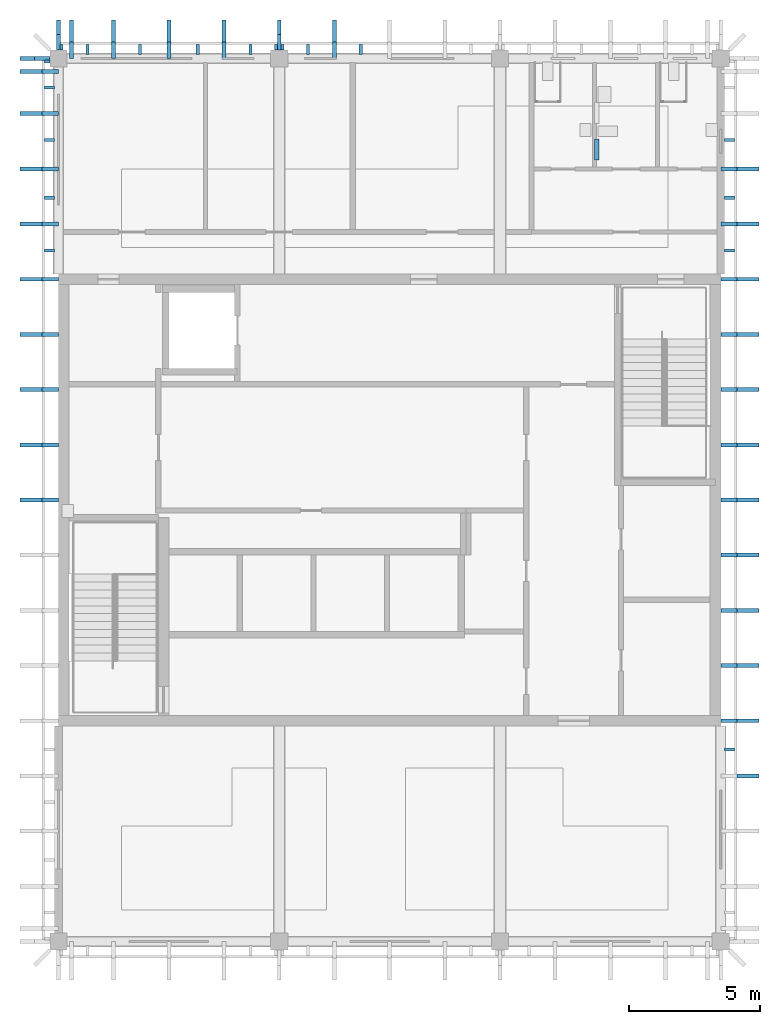
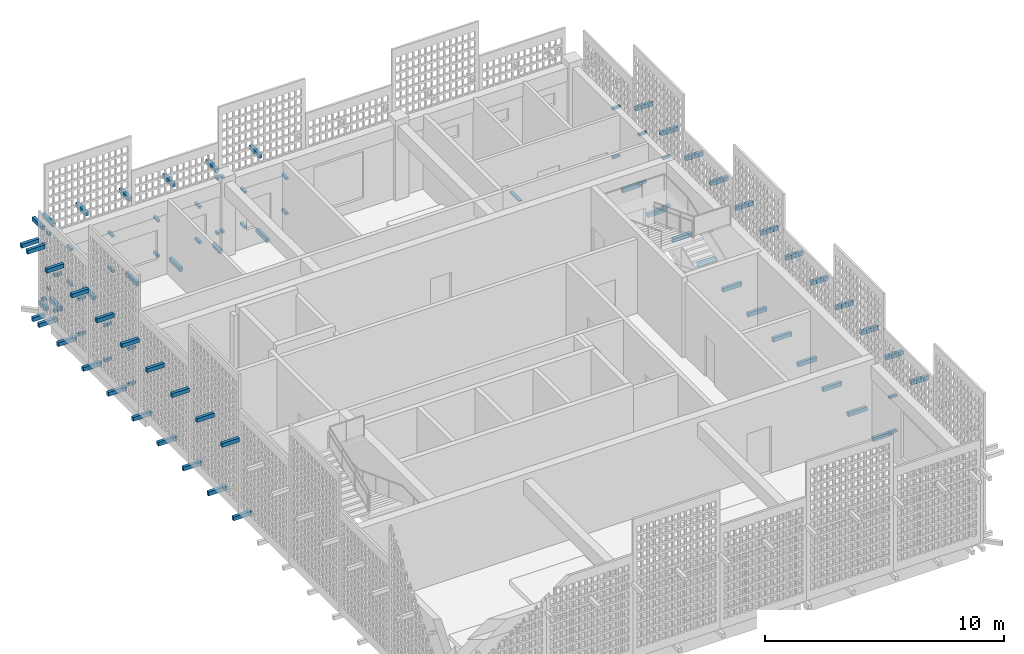
# One storey, part 5 of 23: 94 discrete accessories.
"""IFC4 building model written with IfcOpenShell, lengths in metres."""

from ifc_helpers import new_model, si_unit, direction, frame, origin, origin_2d, place, context, subcontext, project, spatial, rectangle, extrude, material, type_object, element, save


model = new_model("IFC4")

# Units and contexts
model_context = context("Model", 3, precision=1e-05, world=origin(), true_north=direction((0.0, 1.0)))
body_context = subcontext(model_context, "Body", "Model", "MODEL_VIEW")
ifc_project = project(units=[si_unit("LENGTHUNIT", "METRE"), si_unit("AREAUNIT", "SQUARE_METRE"), si_unit("VOLUMEUNIT", "CUBIC_METRE"), si_unit("PLANEANGLEUNIT", "RADIAN"), si_unit("MASSUNIT", "GRAM", prefix="KILO")], contexts=[model_context])

# Site, building, storey
site_placement = place(None, origin())
site = spatial("IfcSite", under=ifc_project, at=site_placement, CompositionType="ELEMENT")
building_placement = place(site_placement, origin())
building = spatial("IfcBuilding", under=site, at=building_placement, Name="Rulbaag Community and Learning Centre", CompositionType="ELEMENT")
storey_placement = place(building_placement, frame((0.0, 0.0, 64.800048828125)))
storey = spatial("IfcBuildingStorey", under=building, at=storey_placement, Name="L17", CompositionType="ELEMENT", Elevation=64.800048828125)

# Discrete accessories
ifc_material_1 = material(Name="Steel E350", Category="steel")
discrete_accessory_type_1 = type_object("IfcDiscreteAccessoryType", Name="BR-FN", PredefinedType="BRACKET", material=ifc_material_1)
discrete_accessory_1_placement = place(storey_placement, frame((142.800048828125, 118.218505859375, -0.25), z_axis=(0.0, 0.0, 1.0), x_axis=(1.0, 0.0, 0.0)))
element("IfcDiscreteAccessory", 1, at=discrete_accessory_1_placement, inside=storey, type_object=discrete_accessory_type_1, Name="Fin arm", PredefinedType="BRACKET", context=body_context, shape_type="SweptSolid", body=[
    extrude(rectangle(XDim=0.14990234375, YDim=0.587158203125, at=origin_2d()), origin(), (0.0, 0.0, 1.0), 0.199951171875),
])
discrete_accessory_2_placement = place(storey_placement, frame((142.800048828125, 118.644775390625, 3.7001953125), z_axis=(0.0, 0.0, 1.0), x_axis=(1.0, 0.0, 0.0)))
element("IfcDiscreteAccessory", 2, at=discrete_accessory_2_placement, inside=storey, type_object=discrete_accessory_type_1, Name="Fin arm", PredefinedType="BRACKET", context=body_context, shape_type="SweptSolid", body=[
    extrude(rectangle(XDim=0.14990234375, YDim=0.83935546875, at=origin_2d()), origin(), (0.0, 0.0, 1.0), 0.199951171875),
])
discrete_accessory_3_placement = place(storey_placement, frame((143.300048828125, 118.05615234375, -0.25), z_axis=(0.0, 0.0, 1.0), x_axis=(1.0, 0.0, 0.0)))
element("IfcDiscreteAccessory", 3, at=discrete_accessory_3_placement, inside=storey, type_object=discrete_accessory_type_1, Name="Fin arm", PredefinedType="BRACKET", context=body_context, shape_type="SweptSolid", body=[
    extrude(rectangle(XDim=0.14990234375, YDim=0.912109375, at=origin_2d()), origin(), (0.0, 0.0, 1.0), 0.199951171875),
])
discrete_accessory_4_placement = place(storey_placement, frame((143.300048828125, 118.644775390625, 3.7001953125), z_axis=(0.0, 0.0, 1.0), x_axis=(1.0, 0.0, 0.0)))
element("IfcDiscreteAccessory", 4, at=discrete_accessory_4_placement, inside=storey, type_object=discrete_accessory_type_1, Name="Fin arm", PredefinedType="BRACKET", context=body_context, shape_type="SweptSolid", body=[
    extrude(rectangle(XDim=0.14990234375, YDim=0.83935546875, at=origin_2d()), origin(), (0.0, 0.0, 1.0), 0.199951171875),
])
discrete_accessory_5_placement = place(storey_placement, frame((144.89990234375, 118.05615234375, -0.25), z_axis=(0.0, 0.0, 1.0), x_axis=(1.0, 0.0, 0.0)))
element("IfcDiscreteAccessory", 5, at=discrete_accessory_5_placement, inside=storey, type_object=discrete_accessory_type_1, Name="Fin arm", PredefinedType="BRACKET", context=body_context, shape_type="SweptSolid", body=[
    extrude(rectangle(XDim=0.14990234375, YDim=0.912109375, at=origin_2d()), origin(), (0.0, 0.0, 1.0), 0.199951171875),
])
discrete_accessory_6_placement = place(storey_placement, frame((144.89990234375, 118.644775390625, 3.7001953125), z_axis=(0.0, 0.0, 1.0), x_axis=(1.0, 0.0, 0.0)))
element("IfcDiscreteAccessory", 6, at=discrete_accessory_6_placement, inside=storey, type_object=discrete_accessory_type_1, Name="Fin arm", PredefinedType="BRACKET", context=body_context, shape_type="SweptSolid", body=[
    extrude(rectangle(XDim=0.14990234375, YDim=0.83935546875, at=origin_2d()), origin(), (0.0, 0.0, 1.0), 0.199951171875),
])
discrete_accessory_7_placement = place(storey_placement, frame((147.0, 118.05615234375, -0.25), z_axis=(0.0, 0.0, 1.0), x_axis=(1.0, 0.0, 0.0)))
element("IfcDiscreteAccessory", 7, at=discrete_accessory_7_placement, inside=storey, type_object=discrete_accessory_type_1, Name="Fin arm", PredefinedType="BRACKET", context=body_context, shape_type="SweptSolid", body=[
    extrude(rectangle(XDim=0.14990234375, YDim=0.912109375, at=origin_2d()), origin(), (0.0, 0.0, 1.0), 0.199951171875),
])
discrete_accessory_8_placement = place(storey_placement, frame((147.0, 118.644775390625, 3.7001953125), z_axis=(0.0, 0.0, 1.0), x_axis=(1.0, 0.0, 0.0)))
element("IfcDiscreteAccessory", 8, at=discrete_accessory_8_placement, inside=storey, type_object=discrete_accessory_type_1, Name="Fin arm", PredefinedType="BRACKET", context=body_context, shape_type="SweptSolid", body=[
    extrude(rectangle(XDim=0.14990234375, YDim=0.83935546875, at=origin_2d()), origin(), (0.0, 0.0, 1.0), 0.199951171875),
])
discrete_accessory_9_placement = place(storey_placement, frame((149.10009765625, 118.05615234375, -0.25), z_axis=(0.0, 0.0, 1.0), x_axis=(1.0, 0.0, 0.0)))
element("IfcDiscreteAccessory", 9, at=discrete_accessory_9_placement, inside=storey, type_object=discrete_accessory_type_1, Name="Fin arm", PredefinedType="BRACKET", context=body_context, shape_type="SweptSolid", body=[
    extrude(rectangle(XDim=0.14990234375, YDim=0.912109375, at=origin_2d()), origin(), (0.0, 0.0, 1.0), 0.199951171875),
])
discrete_accessory_10_placement = place(storey_placement, frame((149.10009765625, 118.644775390625, 3.7001953125), z_axis=(0.0, 0.0, 1.0), x_axis=(1.0, 0.0, 0.0)))
element("IfcDiscreteAccessory", 10, at=discrete_accessory_10_placement, inside=storey, type_object=discrete_accessory_type_1, Name="Fin arm", PredefinedType="BRACKET", context=body_context, shape_type="SweptSolid", body=[
    extrude(rectangle(XDim=0.14990234375, YDim=0.83935546875, at=origin_2d()), origin(), (0.0, 0.0, 1.0), 0.199951171875),
])
discrete_accessory_11_placement = place(storey_placement, frame((151.199951171875, 118.218505859375, -0.25), z_axis=(0.0, 0.0, 1.0), x_axis=(1.0, 0.0, 0.0)))
element("IfcDiscreteAccessory", 11, at=discrete_accessory_11_placement, inside=storey, type_object=discrete_accessory_type_1, Name="Fin arm", PredefinedType="BRACKET", context=body_context, shape_type="SweptSolid", body=[
    extrude(rectangle(XDim=0.14990234375, YDim=0.587158203125, at=origin_2d()), origin(), (0.0, 0.0, 1.0), 0.199951171875),
])
discrete_accessory_12_placement = place(storey_placement, frame((151.199951171875, 118.644775390625, 3.7001953125), z_axis=(0.0, 0.0, 1.0), x_axis=(1.0, 0.0, 0.0)))
element("IfcDiscreteAccessory", 12, at=discrete_accessory_12_placement, inside=storey, type_object=discrete_accessory_type_1, Name="Fin arm", PredefinedType="BRACKET", context=body_context, shape_type="SweptSolid", body=[
    extrude(rectangle(XDim=0.14990234375, YDim=0.83935546875, at=origin_2d()), origin(), (0.0, 0.0, 1.0), 0.199951171875),
])
discrete_accessory_13_placement = place(storey_placement, frame((153.300048828125, 118.05615234375, -0.25), z_axis=(0.0, 0.0, 1.0), x_axis=(1.0, 0.0, 0.0)))
element("IfcDiscreteAccessory", 13, at=discrete_accessory_13_placement, inside=storey, type_object=discrete_accessory_type_1, Name="Fin arm", PredefinedType="BRACKET", context=body_context, shape_type="SweptSolid", body=[
    extrude(rectangle(XDim=0.14990234375, YDim=0.912109375, at=origin_2d()), origin(), (0.0, 0.0, 1.0), 0.199951171875),
])
discrete_accessory_14_placement = place(storey_placement, frame((153.300048828125, 118.644775390625, 3.7001953125), z_axis=(0.0, 0.0, 1.0), x_axis=(1.0, 0.0, 0.0)))
element("IfcDiscreteAccessory", 14, at=discrete_accessory_14_placement, inside=storey, type_object=discrete_accessory_type_1, Name="Fin arm", PredefinedType="BRACKET", context=body_context, shape_type="SweptSolid", body=[
    extrude(rectangle(XDim=0.14990234375, YDim=0.83935546875, at=origin_2d()), origin(), (0.0, 0.0, 1.0), 0.199951171875),
])
discrete_accessory_15_placement = place(storey_placement, frame((142.343994140625, 100.800048828125, -0.25), z_axis=(0.0, 0.0, 1.0), x_axis=(1.0, 0.0, 0.0)))
element("IfcDiscreteAccessory", 15, at=discrete_accessory_15_placement, inside=storey, type_object=discrete_accessory_type_1, Name="Fin arm", PredefinedType="BRACKET", context=body_context, shape_type="SweptSolid", body=[
    extrude(rectangle(XDim=0.912109375, YDim=0.14990234375, at=origin_2d()), origin(), (0.0, 0.0, 1.0), 0.199951171875),
])
discrete_accessory_16_placement = place(storey_placement, frame((141.75537109375, 100.800048828125, 3.7001953125), z_axis=(0.0, 0.0, 1.0), x_axis=(1.0, 0.0, 0.0)))
element("IfcDiscreteAccessory", 16, at=discrete_accessory_16_placement, inside=storey, type_object=discrete_accessory_type_1, Name="Fin arm", PredefinedType="BRACKET", context=body_context, shape_type="SweptSolid", body=[
    extrude(rectangle(XDim=0.83935546875, YDim=0.14990234375, at=origin_2d()), origin(), (0.0, 0.0, 1.0), 0.199951171875),
])
discrete_accessory_17_placement = place(storey_placement, frame((142.343994140625, 102.89990234375, -0.25), z_axis=(0.0, 0.0, 1.0), x_axis=(1.0, 0.0, 0.0)))
element("IfcDiscreteAccessory", 17, at=discrete_accessory_17_placement, inside=storey, type_object=discrete_accessory_type_1, Name="Fin arm", PredefinedType="BRACKET", context=body_context, shape_type="SweptSolid", body=[
    extrude(rectangle(XDim=0.912109375, YDim=0.14990234375, at=origin_2d()), origin(), (0.0, 0.0, 1.0), 0.199951171875),
])
discrete_accessory_18_placement = place(storey_placement, frame((141.75537109375, 102.89990234375, 3.7001953125), z_axis=(0.0, 0.0, 1.0), x_axis=(1.0, 0.0, 0.0)))
element("IfcDiscreteAccessory", 18, at=discrete_accessory_18_placement, inside=storey, type_object=discrete_accessory_type_1, Name="Fin arm", PredefinedType="BRACKET", context=body_context, shape_type="SweptSolid", body=[
    extrude(rectangle(XDim=0.83935546875, YDim=0.14990234375, at=origin_2d()), origin(), (0.0, 0.0, 1.0), 0.199951171875),
])
discrete_accessory_19_placement = place(storey_placement, frame((142.343994140625, 105.0, -0.25), z_axis=(0.0, 0.0, 1.0), x_axis=(1.0, 0.0, 0.0)))
element("IfcDiscreteAccessory", 19, at=discrete_accessory_19_placement, inside=storey, type_object=discrete_accessory_type_1, Name="Fin arm", PredefinedType="BRACKET", context=body_context, shape_type="SweptSolid", body=[
    extrude(rectangle(XDim=0.912109375, YDim=0.14990234375, at=origin_2d()), origin(), (0.0, 0.0, 1.0), 0.199951171875),
])
discrete_accessory_20_placement = place(storey_placement, frame((141.75537109375, 105.0, 3.7001953125), z_axis=(0.0, 0.0, 1.0), x_axis=(1.0, 0.0, 0.0)))
element("IfcDiscreteAccessory", 20, at=discrete_accessory_20_placement, inside=storey, type_object=discrete_accessory_type_1, Name="Fin arm", PredefinedType="BRACKET", context=body_context, shape_type="SweptSolid", body=[
    extrude(rectangle(XDim=0.83935546875, YDim=0.14990234375, at=origin_2d()), origin(), (0.0, 0.0, 1.0), 0.199951171875),
])
discrete_accessory_21_placement = place(storey_placement, frame((142.343994140625, 107.10009765625, -0.25), z_axis=(0.0, 0.0, 1.0), x_axis=(1.0, 0.0, 0.0)))
element("IfcDiscreteAccessory", 21, at=discrete_accessory_21_placement, inside=storey, type_object=discrete_accessory_type_1, Name="Fin arm", PredefinedType="BRACKET", context=body_context, shape_type="SweptSolid", body=[
    extrude(rectangle(XDim=0.912109375, YDim=0.14990234375, at=origin_2d()), origin(), (0.0, 0.0, 1.0), 0.199951171875),
])
discrete_accessory_22_placement = place(storey_placement, frame((141.75537109375, 107.10009765625, 3.7001953125), z_axis=(0.0, 0.0, 1.0), x_axis=(1.0, 0.0, 0.0)))
element("IfcDiscreteAccessory", 22, at=discrete_accessory_22_placement, inside=storey, type_object=discrete_accessory_type_1, Name="Fin arm", PredefinedType="BRACKET", context=body_context, shape_type="SweptSolid", body=[
    extrude(rectangle(XDim=0.83935546875, YDim=0.14990234375, at=origin_2d()), origin(), (0.0, 0.0, 1.0), 0.199951171875),
])
discrete_accessory_23_placement = place(storey_placement, frame((142.343994140625, 109.199951171875, -0.25), z_axis=(0.0, 0.0, 1.0), x_axis=(1.0, 0.0, 0.0)))
element("IfcDiscreteAccessory", 23, at=discrete_accessory_23_placement, inside=storey, type_object=discrete_accessory_type_1, Name="Fin arm", PredefinedType="BRACKET", context=body_context, shape_type="SweptSolid", body=[
    extrude(rectangle(XDim=0.912109375, YDim=0.14990234375, at=origin_2d()), origin(), (0.0, 0.0, 1.0), 0.199951171875),
])
discrete_accessory_24_placement = place(storey_placement, frame((141.75537109375, 109.199951171875, 3.7001953125), z_axis=(0.0, 0.0, 1.0), x_axis=(1.0, 0.0, 0.0)))
element("IfcDiscreteAccessory", 24, at=discrete_accessory_24_placement, inside=storey, type_object=discrete_accessory_type_1, Name="Fin arm", PredefinedType="BRACKET", context=body_context, shape_type="SweptSolid", body=[
    extrude(rectangle(XDim=0.83935546875, YDim=0.14990234375, at=origin_2d()), origin(), (0.0, 0.0, 1.0), 0.199951171875),
])
discrete_accessory_25_placement = place(storey_placement, frame((142.343994140625, 111.300048828125, -0.25), z_axis=(0.0, 0.0, 1.0), x_axis=(1.0, 0.0, 0.0)))
element("IfcDiscreteAccessory", 25, at=discrete_accessory_25_placement, inside=storey, type_object=discrete_accessory_type_1, Name="Fin arm", PredefinedType="BRACKET", context=body_context, shape_type="SweptSolid", body=[
    extrude(rectangle(XDim=0.912109375, YDim=0.14990234375, at=origin_2d()), origin(), (0.0, 0.0, 1.0), 0.199951171875),
])
discrete_accessory_26_placement = place(storey_placement, frame((141.75537109375, 111.300048828125, 3.7001953125), z_axis=(0.0, 0.0, 1.0), x_axis=(1.0, 0.0, 0.0)))
element("IfcDiscreteAccessory", 26, at=discrete_accessory_26_placement, inside=storey, type_object=discrete_accessory_type_1, Name="Fin arm", PredefinedType="BRACKET", context=body_context, shape_type="SweptSolid", body=[
    extrude(rectangle(XDim=0.83935546875, YDim=0.14990234375, at=origin_2d()), origin(), (0.0, 0.0, 1.0), 0.199951171875),
])
discrete_accessory_27_placement = place(storey_placement, frame((142.343994140625, 113.39990234375, -0.25), z_axis=(0.0, 0.0, 1.0), x_axis=(1.0, 0.0, 0.0)))
element("IfcDiscreteAccessory", 27, at=discrete_accessory_27_placement, inside=storey, type_object=discrete_accessory_type_1, Name="Fin arm", PredefinedType="BRACKET", context=body_context, shape_type="SweptSolid", body=[
    extrude(rectangle(XDim=0.912109375, YDim=0.14990234375, at=origin_2d()), origin(), (0.0, 0.0, 1.0), 0.199951171875),
])
discrete_accessory_28_placement = place(storey_placement, frame((141.75537109375, 113.39990234375, 3.7001953125), z_axis=(0.0, 0.0, 1.0), x_axis=(1.0, 0.0, 0.0)))
element("IfcDiscreteAccessory", 28, at=discrete_accessory_28_placement, inside=storey, type_object=discrete_accessory_type_1, Name="Fin arm", PredefinedType="BRACKET", context=body_context, shape_type="SweptSolid", body=[
    extrude(rectangle(XDim=0.83935546875, YDim=0.14990234375, at=origin_2d()), origin(), (0.0, 0.0, 1.0), 0.199951171875),
])
discrete_accessory_29_placement = place(storey_placement, frame((142.343994140625, 115.5, -0.25), z_axis=(0.0, 0.0, 1.0), x_axis=(1.0, 0.0, 0.0)))
element("IfcDiscreteAccessory", 29, at=discrete_accessory_29_placement, inside=storey, type_object=discrete_accessory_type_1, Name="Fin arm", PredefinedType="BRACKET", context=body_context, shape_type="SweptSolid", body=[
    extrude(rectangle(XDim=0.912109375, YDim=0.14990234375, at=origin_2d()), origin(), (0.0, 0.0, 1.0), 0.199951171875),
])
discrete_accessory_30_placement = place(storey_placement, frame((141.75537109375, 115.5, 3.7001953125), z_axis=(0.0, 0.0, 1.0), x_axis=(1.0, 0.0, 0.0)))
element("IfcDiscreteAccessory", 30, at=discrete_accessory_30_placement, inside=storey, type_object=discrete_accessory_type_1, Name="Fin arm", PredefinedType="BRACKET", context=body_context, shape_type="SweptSolid", body=[
    extrude(rectangle(XDim=0.83935546875, YDim=0.14990234375, at=origin_2d()), origin(), (0.0, 0.0, 1.0), 0.199951171875),
])
discrete_accessory_31_placement = place(storey_placement, frame((142.343994140625, 117.10009765625, -0.25), z_axis=(0.0, 0.0, 1.0), x_axis=(1.0, 0.0, 0.0)))
element("IfcDiscreteAccessory", 31, at=discrete_accessory_31_placement, inside=storey, type_object=discrete_accessory_type_1, Name="Fin arm", PredefinedType="BRACKET", context=body_context, shape_type="SweptSolid", body=[
    extrude(rectangle(XDim=0.912109375, YDim=0.14990234375, at=origin_2d()), origin(), (0.0, 0.0, 1.0), 0.199951171875),
])
discrete_accessory_32_placement = place(storey_placement, frame((141.75537109375, 117.10009765625, 3.7001953125), z_axis=(0.0, 0.0, 1.0), x_axis=(1.0, 0.0, 0.0)))
element("IfcDiscreteAccessory", 32, at=discrete_accessory_32_placement, inside=storey, type_object=discrete_accessory_type_1, Name="Fin arm", PredefinedType="BRACKET", context=body_context, shape_type="SweptSolid", body=[
    extrude(rectangle(XDim=0.83935546875, YDim=0.14990234375, at=origin_2d()), origin(), (0.0, 0.0, 1.0), 0.199951171875),
])
discrete_accessory_33_placement = place(storey_placement, frame((142.181396484375, 117.60009765625, -0.25), z_axis=(0.0, 0.0, 1.0), x_axis=(1.0, 0.0, 0.0)))
element("IfcDiscreteAccessory", 33, at=discrete_accessory_33_placement, inside=storey, type_object=discrete_accessory_type_1, Name="Fin arm", PredefinedType="BRACKET", context=body_context, shape_type="SweptSolid", body=[
    extrude(rectangle(XDim=0.587158203125, YDim=0.14990234375, at=origin_2d()), origin(), (0.0, 0.0, 1.0), 0.199951171875),
])
for number, where, z_axis, x_axis, name in (
    (34, (141.75537109375, 117.60009765625, 3.7001953125), (0.0, 0.0, 1.0), (1.0, 0.0, 0.0), "Fin arm"),
    (35, (169.044677734375, 90.300048828125, 3.7001953125), (0.0, 0.0, 1.0), (1.0, 0.0, 0.0), "Fin arm"),
):
    element("IfcDiscreteAccessory", number, at=place(storey_placement, frame(where, z_axis=z_axis, x_axis=x_axis)), inside=storey, type_object=discrete_accessory_type_1, Name=name, PredefinedType="BRACKET", context=body_context, shape_type="SweptSolid", body=[
        extrude(rectangle(XDim=0.83935546875, YDim=0.14990234375, at=origin_2d()), origin(), (0.0, 0.0, 1.0), 0.199951171875),
    ])
discrete_accessory_34_placement = place(storey_placement, frame((168.4560546875, 92.39990234375, -0.25), z_axis=(0.0, 0.0, 1.0), x_axis=(1.0, 0.0, 0.0)))
element("IfcDiscreteAccessory", 36, at=discrete_accessory_34_placement, inside=storey, type_object=discrete_accessory_type_1, Name="Fin arm", PredefinedType="BRACKET", context=body_context, shape_type="SweptSolid", body=[
    extrude(rectangle(XDim=0.912109375, YDim=0.14990234375, at=origin_2d()), origin(), (0.0, 0.0, 1.0), 0.199951171875),
])
discrete_accessory_35_placement = place(storey_placement, frame((169.044677734375, 92.39990234375, 3.7001953125), z_axis=(0.0, 0.0, 1.0), x_axis=(1.0, 0.0, 0.0)))
element("IfcDiscreteAccessory", 37, at=discrete_accessory_35_placement, inside=storey, type_object=discrete_accessory_type_1, Name="Fin arm", PredefinedType="BRACKET", context=body_context, shape_type="SweptSolid", body=[
    extrude(rectangle(XDim=0.83935546875, YDim=0.14990234375, at=origin_2d()), origin(), (0.0, 0.0, 1.0), 0.199951171875),
])
discrete_accessory_36_placement = place(storey_placement, frame((168.4560546875, 94.5, -0.25), z_axis=(0.0, 0.0, 1.0), x_axis=(1.0, 0.0, 0.0)))
element("IfcDiscreteAccessory", 38, at=discrete_accessory_36_placement, inside=storey, type_object=discrete_accessory_type_1, Name="Fin arm", PredefinedType="BRACKET", context=body_context, shape_type="SweptSolid", body=[
    extrude(rectangle(XDim=0.912109375, YDim=0.14990234375, at=origin_2d()), origin(), (0.0, 0.0, 1.0), 0.199951171875),
])
discrete_accessory_37_placement = place(storey_placement, frame((169.044677734375, 94.5, 3.7001953125), z_axis=(0.0, 0.0, 1.0), x_axis=(1.0, 0.0, 0.0)))
element("IfcDiscreteAccessory", 39, at=discrete_accessory_37_placement, inside=storey, type_object=discrete_accessory_type_1, Name="Fin arm", PredefinedType="BRACKET", context=body_context, shape_type="SweptSolid", body=[
    extrude(rectangle(XDim=0.83935546875, YDim=0.14990234375, at=origin_2d()), origin(), (0.0, 0.0, 1.0), 0.199951171875),
])
discrete_accessory_38_placement = place(storey_placement, frame((168.4560546875, 96.60009765625, -0.25), z_axis=(0.0, 0.0, 1.0), x_axis=(1.0, 0.0, 0.0)))
element("IfcDiscreteAccessory", 40, at=discrete_accessory_38_placement, inside=storey, type_object=discrete_accessory_type_1, Name="Fin arm", PredefinedType="BRACKET", context=body_context, shape_type="SweptSolid", body=[
    extrude(rectangle(XDim=0.912109375, YDim=0.14990234375, at=origin_2d()), origin(), (0.0, 0.0, 1.0), 0.199951171875),
])
discrete_accessory_39_placement = place(storey_placement, frame((169.044677734375, 96.60009765625, 3.7001953125), z_axis=(0.0, 0.0, 1.0), x_axis=(1.0, 0.0, 0.0)))
element("IfcDiscreteAccessory", 41, at=discrete_accessory_39_placement, inside=storey, type_object=discrete_accessory_type_1, Name="Fin arm", PredefinedType="BRACKET", context=body_context, shape_type="SweptSolid", body=[
    extrude(rectangle(XDim=0.83935546875, YDim=0.14990234375, at=origin_2d()), origin(), (0.0, 0.0, 1.0), 0.199951171875),
])
discrete_accessory_40_placement = place(storey_placement, frame((168.4560546875, 98.699951171875, -0.25), z_axis=(0.0, 0.0, 1.0), x_axis=(1.0, 0.0, 0.0)))
element("IfcDiscreteAccessory", 42, at=discrete_accessory_40_placement, inside=storey, type_object=discrete_accessory_type_1, Name="Fin arm", PredefinedType="BRACKET", context=body_context, shape_type="SweptSolid", body=[
    extrude(rectangle(XDim=0.912109375, YDim=0.14990234375, at=origin_2d()), origin(), (0.0, 0.0, 1.0), 0.199951171875),
])
discrete_accessory_41_placement = place(storey_placement, frame((169.044677734375, 98.699951171875, 3.7001953125), z_axis=(0.0, 0.0, 1.0), x_axis=(1.0, 0.0, 0.0)))
element("IfcDiscreteAccessory", 43, at=discrete_accessory_41_placement, inside=storey, type_object=discrete_accessory_type_1, Name="Fin arm", PredefinedType="BRACKET", context=body_context, shape_type="SweptSolid", body=[
    extrude(rectangle(XDim=0.83935546875, YDim=0.14990234375, at=origin_2d()), origin(), (0.0, 0.0, 1.0), 0.199951171875),
])
discrete_accessory_42_placement = place(storey_placement, frame((168.4560546875, 100.800048828125, -0.25), z_axis=(0.0, 0.0, 1.0), x_axis=(1.0, 0.0, 0.0)))
element("IfcDiscreteAccessory", 44, at=discrete_accessory_42_placement, inside=storey, type_object=discrete_accessory_type_1, Name="Fin arm", PredefinedType="BRACKET", context=body_context, shape_type="SweptSolid", body=[
    extrude(rectangle(XDim=0.912109375, YDim=0.14990234375, at=origin_2d()), origin(), (0.0, 0.0, 1.0), 0.199951171875),
])
discrete_accessory_43_placement = place(storey_placement, frame((169.044677734375, 100.800048828125, 3.7001953125), z_axis=(0.0, 0.0, 1.0), x_axis=(1.0, 0.0, 0.0)))
element("IfcDiscreteAccessory", 45, at=discrete_accessory_43_placement, inside=storey, type_object=discrete_accessory_type_1, Name="Fin arm", PredefinedType="BRACKET", context=body_context, shape_type="SweptSolid", body=[
    extrude(rectangle(XDim=0.83935546875, YDim=0.14990234375, at=origin_2d()), origin(), (0.0, 0.0, 1.0), 0.199951171875),
])
discrete_accessory_44_placement = place(storey_placement, frame((168.4560546875, 102.89990234375, -0.25), z_axis=(0.0, 0.0, 1.0), x_axis=(1.0, 0.0, 0.0)))
element("IfcDiscreteAccessory", 46, at=discrete_accessory_44_placement, inside=storey, type_object=discrete_accessory_type_1, Name="Fin arm", PredefinedType="BRACKET", context=body_context, shape_type="SweptSolid", body=[
    extrude(rectangle(XDim=0.912109375, YDim=0.14990234375, at=origin_2d()), origin(), (0.0, 0.0, 1.0), 0.199951171875),
])
discrete_accessory_45_placement = place(storey_placement, frame((169.044677734375, 102.89990234375, 3.7001953125), z_axis=(0.0, 0.0, 1.0), x_axis=(1.0, 0.0, 0.0)))
element("IfcDiscreteAccessory", 47, at=discrete_accessory_45_placement, inside=storey, type_object=discrete_accessory_type_1, Name="Fin arm", PredefinedType="BRACKET", context=body_context, shape_type="SweptSolid", body=[
    extrude(rectangle(XDim=0.83935546875, YDim=0.14990234375, at=origin_2d()), origin(), (0.0, 0.0, 1.0), 0.199951171875),
])
discrete_accessory_46_placement = place(storey_placement, frame((168.4560546875, 105.0, -0.25), z_axis=(0.0, 0.0, 1.0), x_axis=(1.0, 0.0, 0.0)))
element("IfcDiscreteAccessory", 48, at=discrete_accessory_46_placement, inside=storey, type_object=discrete_accessory_type_1, Name="Fin arm", PredefinedType="BRACKET", context=body_context, shape_type="SweptSolid", body=[
    extrude(rectangle(XDim=0.912109375, YDim=0.14990234375, at=origin_2d()), origin(), (0.0, 0.0, 1.0), 0.199951171875),
])
discrete_accessory_47_placement = place(storey_placement, frame((169.044677734375, 105.0, 3.7001953125), z_axis=(0.0, 0.0, 1.0), x_axis=(1.0, 0.0, 0.0)))
element("IfcDiscreteAccessory", 49, at=discrete_accessory_47_placement, inside=storey, type_object=discrete_accessory_type_1, Name="Fin arm", PredefinedType="BRACKET", context=body_context, shape_type="SweptSolid", body=[
    extrude(rectangle(XDim=0.83935546875, YDim=0.14990234375, at=origin_2d()), origin(), (0.0, 0.0, 1.0), 0.199951171875),
])
discrete_accessory_48_placement = place(storey_placement, frame((168.4560546875, 107.10009765625, -0.25), z_axis=(0.0, 0.0, 1.0), x_axis=(1.0, 0.0, 0.0)))
element("IfcDiscreteAccessory", 50, at=discrete_accessory_48_placement, inside=storey, type_object=discrete_accessory_type_1, Name="Fin arm", PredefinedType="BRACKET", context=body_context, shape_type="SweptSolid", body=[
    extrude(rectangle(XDim=0.912109375, YDim=0.14990234375, at=origin_2d()), origin(), (0.0, 0.0, 1.0), 0.199951171875),
])
discrete_accessory_49_placement = place(storey_placement, frame((169.044677734375, 107.10009765625, 3.7001953125), z_axis=(0.0, 0.0, 1.0), x_axis=(1.0, 0.0, 0.0)))
element("IfcDiscreteAccessory", 51, at=discrete_accessory_49_placement, inside=storey, type_object=discrete_accessory_type_1, Name="Fin arm", PredefinedType="BRACKET", context=body_context, shape_type="SweptSolid", body=[
    extrude(rectangle(XDim=0.83935546875, YDim=0.14990234375, at=origin_2d()), origin(), (0.0, 0.0, 1.0), 0.199951171875),
])
discrete_accessory_50_placement = place(storey_placement, frame((168.4560546875, 109.199951171875, -0.25), z_axis=(0.0, 0.0, 1.0), x_axis=(1.0, 0.0, 0.0)))
element("IfcDiscreteAccessory", 52, at=discrete_accessory_50_placement, inside=storey, type_object=discrete_accessory_type_1, Name="Fin arm", PredefinedType="BRACKET", context=body_context, shape_type="SweptSolid", body=[
    extrude(rectangle(XDim=0.912109375, YDim=0.14990234375, at=origin_2d()), origin(), (0.0, 0.0, 1.0), 0.199951171875),
])
discrete_accessory_51_placement = place(storey_placement, frame((169.044677734375, 109.199951171875, 3.7001953125), z_axis=(0.0, 0.0, 1.0), x_axis=(1.0, 0.0, 0.0)))
element("IfcDiscreteAccessory", 53, at=discrete_accessory_51_placement, inside=storey, type_object=discrete_accessory_type_1, Name="Fin arm", PredefinedType="BRACKET", context=body_context, shape_type="SweptSolid", body=[
    extrude(rectangle(XDim=0.83935546875, YDim=0.14990234375, at=origin_2d()), origin(), (0.0, 0.0, 1.0), 0.199951171875),
])
discrete_accessory_52_placement = place(storey_placement, frame((168.4560546875, 111.300048828125, -0.25), z_axis=(0.0, 0.0, 1.0), x_axis=(1.0, 0.0, 0.0)))
element("IfcDiscreteAccessory", 54, at=discrete_accessory_52_placement, inside=storey, type_object=discrete_accessory_type_1, Name="Fin arm", PredefinedType="BRACKET", context=body_context, shape_type="SweptSolid", body=[
    extrude(rectangle(XDim=0.912109375, YDim=0.14990234375, at=origin_2d()), origin(), (0.0, 0.0, 1.0), 0.199951171875),
])
discrete_accessory_53_placement = place(storey_placement, frame((169.044677734375, 111.300048828125, 3.7001953125), z_axis=(0.0, 0.0, 1.0), x_axis=(1.0, 0.0, 0.0)))
element("IfcDiscreteAccessory", 55, at=discrete_accessory_53_placement, inside=storey, type_object=discrete_accessory_type_1, Name="Fin arm", PredefinedType="BRACKET", context=body_context, shape_type="SweptSolid", body=[
    extrude(rectangle(XDim=0.83935546875, YDim=0.14990234375, at=origin_2d()), origin(), (0.0, 0.0, 1.0), 0.199951171875),
])
discrete_accessory_54_placement = place(storey_placement, frame((168.4560546875, 113.39990234375, -0.25), z_axis=(0.0, 0.0, 1.0), x_axis=(1.0, 0.0, 0.0)))
element("IfcDiscreteAccessory", 56, at=discrete_accessory_54_placement, inside=storey, type_object=discrete_accessory_type_1, Name="Fin arm", PredefinedType="BRACKET", context=body_context, shape_type="SweptSolid", body=[
    extrude(rectangle(XDim=0.912109375, YDim=0.14990234375, at=origin_2d()), origin(), (0.0, 0.0, 1.0), 0.199951171875),
])
discrete_accessory_55_placement = place(storey_placement, frame((169.044677734375, 113.39990234375, 3.7001953125), z_axis=(0.0, 0.0, 1.0), x_axis=(1.0, 0.0, 0.0)))
element("IfcDiscreteAccessory", 57, at=discrete_accessory_55_placement, inside=storey, type_object=discrete_accessory_type_1, Name="Fin arm", PredefinedType="BRACKET", context=body_context, shape_type="SweptSolid", body=[
    extrude(rectangle(XDim=0.83935546875, YDim=0.14990234375, at=origin_2d()), origin(), (0.0, 0.0, 1.0), 0.199951171875),
])
discrete_accessory_type_2 = type_object("IfcDiscreteAccessoryType", Name="BR-JS", PredefinedType="BRACKET", material=ifc_material_1)
for number, where, z_axis, x_axis, name in (
    (58, (142.919921875, 118.02490234375, 0.739990234375), (0.0, 0.0, 1.0), (1.0, 0.0, 0.0), "Screen bracket"),
    (59, (142.919921875, 118.02490234375, 3.539794921875), (0.0, 0.0, 1.0), (1.0, 0.0, 0.0), "Screen bracket"),
):
    element("IfcDiscreteAccessory", number, at=place(storey_placement, frame(where, z_axis=z_axis, x_axis=x_axis)), inside=storey, type_object=discrete_accessory_type_2, Name=name, PredefinedType="BRACKET", context=body_context, shape_type="SweptSolid", body=[
        extrude(rectangle(XDim=0.1201171875, YDim=0.199951171875, at=origin_2d()), origin(), (0.0, 0.0, 1.0), 0.1201171875),
    ])
for number, where, z_axis, x_axis, name in (
    (60, (143.89990234375, 117.9375, 0.739990234375), (0.0, 0.0, 1.0), (1.0, 0.0, 0.0), "Screen bracket"),
    (61, (143.89990234375, 117.9375, 2.539794921875), (0.0, 0.0, 1.0), (1.0, 0.0, 0.0), "Screen bracket"),
    (62, (145.89990234375, 117.9375, 0.739990234375), (0.0, 0.0, 1.0), (1.0, 0.0, 0.0), "Screen bracket"),
    (63, (145.89990234375, 117.9375, 2.539794921875), (0.0, 0.0, 1.0), (1.0, 0.0, 0.0), "Screen bracket"),
):
    element("IfcDiscreteAccessory", number, at=place(storey_placement, frame(where, z_axis=z_axis, x_axis=x_axis)), inside=storey, type_object=discrete_accessory_type_2, Name=name, PredefinedType="BRACKET", context=body_context, shape_type="SweptSolid", body=[
        extrude(rectangle(XDim=0.1201171875, YDim=0.375, at=origin_2d()), origin(), (0.0, 0.0, 1.0), 0.1201171875),
    ])
for number, where, z_axis, x_axis, name in (
    (64, (151.080078125, 118.02490234375, 0.739990234375), (0.0, 0.0, 1.0), (1.0, 0.0, 0.0), "Screen bracket"),
    (65, (151.080078125, 118.02490234375, 3.539794921875), (0.0, 0.0, 1.0), (1.0, 0.0, 0.0), "Screen bracket"),
):
    element("IfcDiscreteAccessory", number, at=place(storey_placement, frame(where, z_axis=z_axis, x_axis=x_axis)), inside=storey, type_object=discrete_accessory_type_2, Name=name, PredefinedType="BRACKET", context=body_context, shape_type="SweptSolid", body=[
        extrude(rectangle(XDim=0.1201171875, YDim=0.199951171875, at=origin_2d()), origin(), (0.0, 0.0, 1.0), 0.1201171875),
    ])
for number, where, z_axis, x_axis, name in (
    (66, (148.10009765625, 117.9375, 0.739990234375), (0.0, 0.0, 1.0), (1.0, 0.0, 0.0), "Screen bracket"),
    (67, (148.10009765625, 117.9375, 2.539794921875), (0.0, 0.0, 1.0), (1.0, 0.0, 0.0), "Screen bracket"),
    (68, (150.10009765625, 117.9375, 0.739990234375), (0.0, 0.0, 1.0), (1.0, 0.0, 0.0), "Screen bracket"),
    (69, (150.10009765625, 117.9375, 2.539794921875), (0.0, 0.0, 1.0), (1.0, 0.0, 0.0), "Screen bracket"),
):
    element("IfcDiscreteAccessory", number, at=place(storey_placement, frame(where, z_axis=z_axis, x_axis=x_axis)), inside=storey, type_object=discrete_accessory_type_2, Name=name, PredefinedType="BRACKET", context=body_context, shape_type="SweptSolid", body=[
        extrude(rectangle(XDim=0.1201171875, YDim=0.375, at=origin_2d()), origin(), (0.0, 0.0, 1.0), 0.1201171875),
    ])
for number, where, z_axis, x_axis, name in (
    (70, (151.320068359375, 118.02490234375, 0.739990234375), (0.0, 0.0, 1.0), (1.0, 0.0, 0.0), "Screen bracket"),
    (71, (151.320068359375, 118.02490234375, 3.539794921875), (0.0, 0.0, 1.0), (1.0, 0.0, 0.0), "Screen bracket"),
):
    element("IfcDiscreteAccessory", number, at=place(storey_placement, frame(where, z_axis=z_axis, x_axis=x_axis)), inside=storey, type_object=discrete_accessory_type_2, Name=name, PredefinedType="BRACKET", context=body_context, shape_type="SweptSolid", body=[
        extrude(rectangle(XDim=0.1201171875, YDim=0.199951171875, at=origin_2d()), origin(), (0.0, 0.0, 1.0), 0.1201171875),
    ])
for number, where, z_axis, x_axis, name in (
    (72, (152.300048828125, 117.9375, 0.739990234375), (0.0, 0.0, 1.0), (1.0, 0.0, 0.0), "Screen bracket"),
    (73, (152.300048828125, 117.9375, 2.539794921875), (0.0, 0.0, 1.0), (1.0, 0.0, 0.0), "Screen bracket"),
    (74, (154.300048828125, 117.9375, 0.739990234375), (0.0, 0.0, 1.0), (1.0, 0.0, 0.0), "Screen bracket"),
    (75, (154.300048828125, 117.9375, 2.539794921875), (0.0, 0.0, 1.0), (1.0, 0.0, 0.0), "Screen bracket"),
):
    element("IfcDiscreteAccessory", number, at=place(storey_placement, frame(where, z_axis=z_axis, x_axis=x_axis)), inside=storey, type_object=discrete_accessory_type_2, Name=name, PredefinedType="BRACKET", context=body_context, shape_type="SweptSolid", body=[
        extrude(rectangle(XDim=0.1201171875, YDim=0.375, at=origin_2d()), origin(), (0.0, 0.0, 1.0), 0.1201171875),
    ])
for number, where, z_axis, x_axis, name in (
    (76, (142.46240234375, 110.300048828125, 0.739990234375), (0.0, 0.0, 1.0), (1.0, 0.0, 0.0), "Screen bracket"),
    (77, (142.46240234375, 110.300048828125, 2.539794921875), (0.0, 0.0, 1.0), (1.0, 0.0, 0.0), "Screen bracket"),
    (78, (142.46240234375, 112.300048828125, 0.739990234375), (0.0, 0.0, 1.0), (1.0, 0.0, 0.0), "Screen bracket"),
    (79, (142.46240234375, 112.300048828125, 2.539794921875), (0.0, 0.0, 1.0), (1.0, 0.0, 0.0), "Screen bracket"),
):
    element("IfcDiscreteAccessory", number, at=place(storey_placement, frame(where, z_axis=z_axis, x_axis=x_axis)), inside=storey, type_object=discrete_accessory_type_2, Name=name, PredefinedType="BRACKET", context=body_context, shape_type="SweptSolid", body=[
        extrude(rectangle(XDim=0.375, YDim=0.1201171875, at=origin_2d()), origin(), (0.0, 0.0, 1.0), 0.1201171875),
    ])
for number, where, z_axis, x_axis, name in (
    (80, (142.375, 117.47998046875, 0.739990234375), (0.0, 0.0, 1.0), (1.0, 0.0, 0.0), "Screen bracket"),
    (81, (142.375, 117.47998046875, 3.539794921875), (0.0, 0.0, 1.0), (1.0, 0.0, 0.0), "Screen bracket"),
):
    element("IfcDiscreteAccessory", number, at=place(storey_placement, frame(where, z_axis=z_axis, x_axis=x_axis)), inside=storey, type_object=discrete_accessory_type_2, Name=name, PredefinedType="BRACKET", context=body_context, shape_type="SweptSolid", body=[
        extrude(rectangle(XDim=0.199951171875, YDim=0.1201171875, at=origin_2d()), origin(), (0.0, 0.0, 1.0), 0.1201171875),
    ])
for number, where, z_axis, x_axis, name in (
    (82, (142.46240234375, 114.5, 0.739990234375), (0.0, 0.0, 1.0), (1.0, 0.0, 0.0), "Screen bracket"),
    (83, (142.46240234375, 114.5, 2.539794921875), (0.0, 0.0, 1.0), (1.0, 0.0, 0.0), "Screen bracket"),
    (84, (142.46240234375, 116.5, 0.739990234375), (0.0, 0.0, 1.0), (1.0, 0.0, 0.0), "Screen bracket"),
    (85, (142.46240234375, 116.5, 2.539794921875), (0.0, 0.0, 1.0), (1.0, 0.0, 0.0), "Screen bracket"),
    (86, (168.33740234375, 91.300048828125, 0.739990234375), (0.0, 0.0, 1.0), (1.0, 0.0, 0.0), "Screen bracket"),
    (87, (168.33740234375, 91.300048828125, 2.539794921875), (0.0, 0.0, 1.0), (1.0, 0.0, 0.0), "Screen bracket"),
    (88, (168.33740234375, 110.300048828125, 0.739990234375), (0.0, 0.0, 1.0), (1.0, 0.0, 0.0), "Screen bracket"),
    (89, (168.33740234375, 110.300048828125, 3.239990234375), (0.0, 0.0, 1.0), (1.0, 0.0, 0.0), "Screen bracket"),
    (90, (168.33740234375, 112.300048828125, 0.739990234375), (0.0, 0.0, 1.0), (1.0, 0.0, 0.0), "Screen bracket"),
    (91, (168.33740234375, 112.300048828125, 3.239990234375), (0.0, 0.0, 1.0), (1.0, 0.0, 0.0), "Screen bracket"),
    (92, (168.33740234375, 114.5, 0.739990234375), (0.0, 0.0, 1.0), (1.0, 0.0, 0.0), "Screen bracket"),
    (93, (168.33740234375, 114.5, 3.239990234375), (0.0, 0.0, 1.0), (1.0, 0.0, 0.0), "Screen bracket"),
):
    element("IfcDiscreteAccessory", number, at=place(storey_placement, frame(where, z_axis=z_axis, x_axis=x_axis)), inside=storey, type_object=discrete_accessory_type_2, Name=name, PredefinedType="BRACKET", context=body_context, shape_type="SweptSolid", body=[
        extrude(rectangle(XDim=0.375, YDim=0.1201171875, at=origin_2d()), origin(), (0.0, 0.0, 1.0), 0.1201171875),
    ])
ifc_material_2 = material(Name="Stainless steel grade 316", Category="steel")
discrete_accessory_type_3 = type_object("IfcDiscreteAccessoryType", Name="GR-800", PredefinedType="USERDEFINED", material=ifc_material_2)
discrete_accessory_56_placement = place(storey_placement, frame((163.284912109375, 114.1298828125, 0.72998046875), z_axis=(0.0, 0.0, 1.0), x_axis=(1.0, 0.0, 0.0)))
element("IfcDiscreteAccessory", 94, at=discrete_accessory_56_placement, inside=storey, type_object=discrete_accessory_type_3, Name="Grab rail", ObjectType="GRAB RAIL", PredefinedType="USERDEFINED", context=body_context, shape_type="SweptSolid", body=[
    extrude(rectangle(XDim=0.169921875, YDim=0.800048828125, at=origin_2d()), origin(), (0.0, 0.0, 1.0), 0.0400390625),
])

save(model, "model.ifc")
